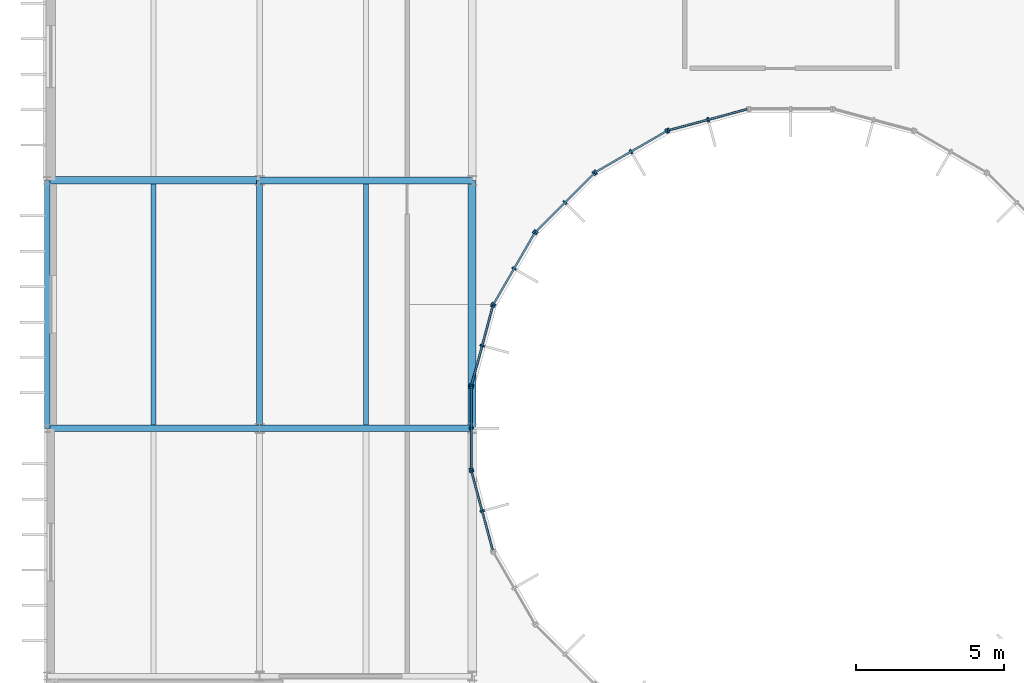
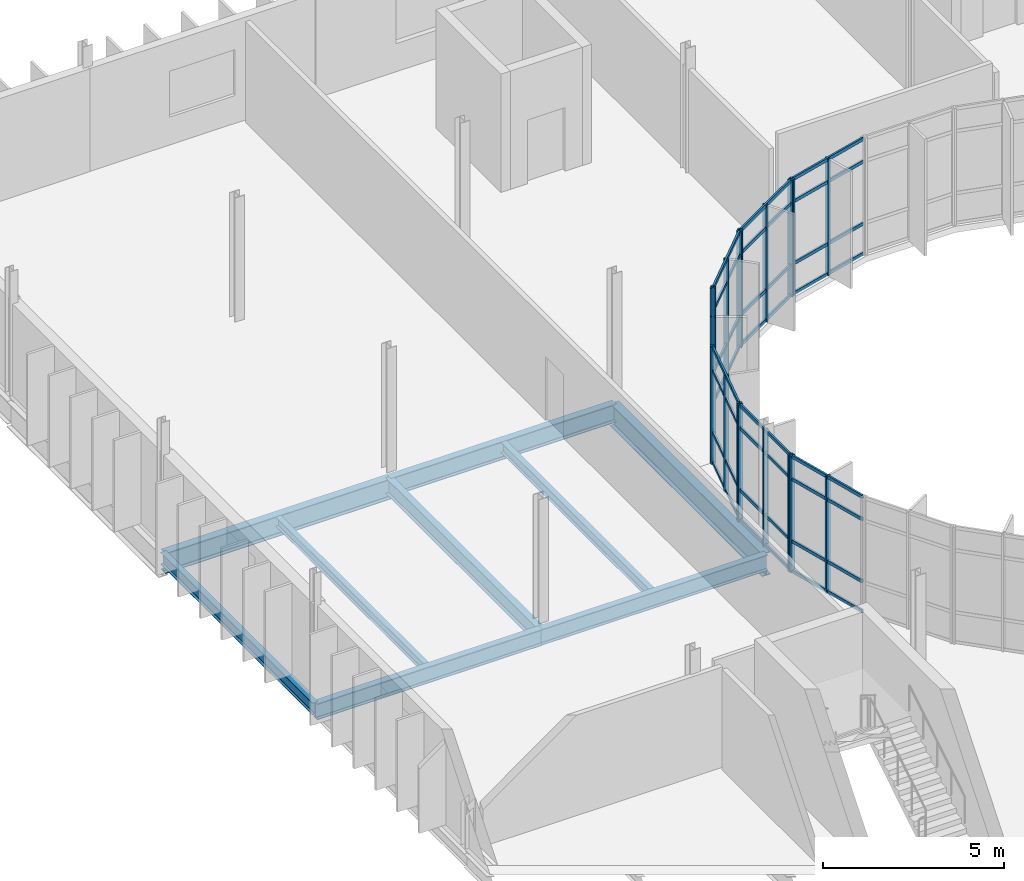
# One storey, part 21 of 61: 47 members, 9 beams, 7 elements without a shape of their own.
"""IFC4 building model written with IfcOpenShell, lengths in metres."""

import ifcopenshell
import ifcopenshell.guid

model = None  # the IFC model being written
_history = None  # IfcOwnerHistory: only IFC2X3 demands one
_inside = {}  # id of a spatial element -> (the spatial element, [elements in it])
_under = {}  # id of a project, library or spatial element -> (it, [spatial elements below it])
_declared = {}  # id of a project -> (the project, [libraries it declares])
_typed = {}  # id of a type object -> (the type object, [elements of that type])
_made_of = {}  # id of a material, layer set ... -> (it, [elements and type objects made of it])


def new_model(schema):
    """Start an empty IFC model of exactly this schema.

    Asked for "IFC4X3", IfcOpenShell would pick the latest addendum, in which some entities
    have other attributes; the version numbers below select the first issue.
    IFC2X3 requires an IfcOwnerHistory on every rooted entity: one is made here for all.
    """
    global model, _history
    if schema == "IFC4X3":
        model = ifcopenshell.file(schema_version=(4, 3, 0, 0))
    else:
        model = ifcopenshell.file(schema=schema)
    _inside.clear()
    _under.clear()
    _declared.clear()
    _typed.clear()
    _made_of.clear()
    _history = None
    if model.schema == "IFC2X3":
        org = make("IfcOrganization", Name="unknown")
        user = make(
            "IfcPersonAndOrganization",
            ThePerson=make("IfcPerson", FamilyName="unknown"),
            TheOrganization=org,
        )
        app = make(
            "IfcApplication",
            ApplicationDeveloper=org,
            Version="unknown",
            ApplicationFullName="unknown",
            ApplicationIdentifier="unknown",
        )
        _history = make(
            "IfcOwnerHistory",
            OwningUser=user,
            OwningApplication=app,
            ChangeAction="ADDED",
            CreationDate=0,
        )
    return model


def make(cls, **values):
    """One entity of the class cls with the attributes given. An attribute that is None is left unset."""
    return model.create_entity(
        cls, **{name: value for name, value in values.items() if value is not None}
    )


def rooted(cls, **values):
    """An entity with a GlobalId (a new one), such as an element, a storey or a relation."""
    return make(cls, GlobalId=ifcopenshell.guid.new(), OwnerHistory=_history, **values)


def si_unit(unit_type, name, prefix=None):
    """IfcSIUnit, for example si_unit("LENGTHUNIT", "METRE", prefix="MILLI")."""
    return make("IfcSIUnit", UnitType=unit_type, Prefix=prefix, Name=name)


def assignment(units):
    """IfcUnitAssignment: the units of a project."""
    return None if units is None else make("IfcUnitAssignment", Units=units)


def point(xyz):
    """IfcCartesianPoint."""
    return None if xyz is None else make("IfcCartesianPoint", Coordinates=xyz)


def direction(xyz):
    """IfcDirection."""
    return None if xyz is None else make("IfcDirection", DirectionRatios=xyz)


def frame(location, z_axis=None, x_axis=None):
    """IfcAxis2Placement3D, a coordinate frame: its origin and axes. An axis left out is left unset."""
    return make(
        "IfcAxis2Placement3D",
        Location=point(location),
        Axis=direction(z_axis),
        RefDirection=direction(x_axis),
    )


def frame_2d(location, x_axis=None):
    """IfcAxis2Placement2D, a coordinate frame in the plane: its origin and x axis."""
    return make(
        "IfcAxis2Placement2D", Location=point(location), RefDirection=direction(x_axis)
    )


def origin():
    """The frame at (0, 0, 0) with its axes left unset."""
    return frame((0.0, 0.0, 0.0))


def origin_2d():
    """The frame at (0, 0) in the plane with its x axis left unset."""
    return frame_2d((0.0, 0.0))


def place(relative_to, where):
    """IfcLocalPlacement: puts the frame where relative to a parent placement (None: the world)."""
    return make(
        "IfcLocalPlacement", PlacementRelTo=relative_to, RelativePlacement=where
    )


def context(
    kind, dimensions, precision=None, world=None, true_north=None, identifier=None
):
    """IfcGeometricRepresentationContext, for example the 3D "Model" context."""
    return make(
        "IfcGeometricRepresentationContext",
        ContextIdentifier=identifier,
        ContextType=kind,
        CoordinateSpaceDimension=dimensions,
        Precision=precision,
        WorldCoordinateSystem=world,
        TrueNorth=true_north,
    )


def subcontext(parent, identifier, kind, view, scale=None):
    """IfcGeometricRepresentationSubContext, for example "Body" below "Model"."""
    return make(
        "IfcGeometricRepresentationSubContext",
        ContextIdentifier=identifier,
        ContextType=kind,
        ParentContext=parent,
        TargetScale=scale,
        TargetView=view,
    )


def project(units=None, contexts=None):
    """IfcProject with its units and contexts."""
    return rooted(
        "IfcProject",
        Name="project",
        RepresentationContexts=contexts,
        UnitsInContext=assignment(units),
    )


def spatial(cls, under=None, at=None, **own):
    """A site, building, storey or space (cls), placed at a placement, below another one or the project."""
    s = rooted(cls, ObjectPlacement=at, **own)
    if under is not None:
        _under.setdefault(under.id(), (under, []))[1].append(s)
    return s


def profile(cls, at=None, kind="AREA", **sizes):
    """A parametric profile (cls). Its sizes go by their IFC names, for example OverallWidth=200.0."""
    return make(cls, ProfileType=kind, Position=at, **sizes)


def rectangle(**sizes):
    """IfcRectangleProfileDef."""
    return profile("IfcRectangleProfileDef", **sizes)


def i_section(**sizes):
    """IfcIShapeProfileDef."""
    return profile("IfcIShapeProfileDef", **sizes)


def extrude(swept, where, along, depth):
    """IfcExtrudedAreaSolid: the profile swept, set in the frame where, extruded along a direction by depth."""
    return make(
        "IfcExtrudedAreaSolid",
        SweptArea=swept,
        Position=where,
        ExtrudedDirection=direction(along),
        Depth=depth,
    )


def shape(context_of_items, identifier, shape_type, items):
    """IfcShapeRepresentation: the items that make up one representation, for example the "Body"."""
    return make(
        "IfcShapeRepresentation",
        ContextOfItems=context_of_items,
        RepresentationIdentifier=identifier,
        RepresentationType=shape_type,
        Items=items,
    )


def material(Name=None, Category=None):
    """IfcMaterial."""
    return make("IfcMaterial", Name=Name, Category=Category)


def material_profile(
    of_material, cross_section, Name=None, Category=None, Priority=None
):
    """IfcMaterialProfile: a cross section and its material."""
    return make(
        "IfcMaterialProfile",
        Name=Name,
        Material=of_material,
        Profile=cross_section,
        Priority=Priority,
        Category=Category,
    )


def profile_set(profiles, Name=None, composite=None):
    """IfcMaterialProfileSet."""
    return make(
        "IfcMaterialProfileSet",
        Name=Name,
        MaterialProfiles=profiles,
        CompositeProfile=composite,
    )


def made_of(thing, what):
    """Note that an element or type object is made of a material, layer set ...; save() writes the relation."""
    if what is not None:
        _made_of.setdefault(what.id(), (what, []))[1].append(thing)
    return thing


def type_object(cls, material=None, **own):
    """A type object (cls), such as IfcWallType, which elements share."""
    return made_of(rooted(cls, **own), material)


def element(
    cls,
    number,
    at=None,
    inside=None,
    cuts=None,
    type_object=None,
    material=None,
    context=None,
    identifier="Body",
    shape_type=None,
    held_by="IfcProductDefinitionShape",
    body=None,
    shapes=None,
    **own,
):
    """One element of the class cls, such as IfcWall. Its Tag is "e" and its number.

    at: its placement. inside: the storey or other place that contains it. cuts: it is an
    opening in that element (IfcRelVoidsElement). A single representation is given by context,
    identifier, shape_type and body (its items); several are given by shapes. held_by: the class
    of the entity that holds the representations. save() writes the other relations.
    """
    e = rooted(cls, Tag="e%d" % number, ObjectPlacement=at, **own)
    if body is not None:
        shapes = [shape(context, identifier, shape_type, body)]
    if shapes is not None:
        e.Representation = make(held_by, Representations=shapes)
    if inside is not None:
        _inside.setdefault(inside.id(), (inside, []))[1].append(e)
    if cuts is not None:
        rooted(
            "IfcRelVoidsElement", RelatingBuildingElement=cuts, RelatedOpeningElement=e
        )
    if type_object is not None:
        _typed.setdefault(type_object.id(), (type_object, []))[1].append(e)
    return made_of(e, material)


def aggregate(whole, parts):
    """IfcRelAggregates: a whole, such as a stair, and the parts it consists of."""
    return rooted("IfcRelAggregates", RelatingObject=whole, RelatedObjects=parts)


def save(model, path):
    """Write the relations noted so far, then the file.

    IfcRelAggregates (storeys below a building ...), IfcRelContainedInSpatialStructure (elements
    in a storey), IfcRelDefinesByType, IfcRelAssociatesMaterial and IfcRelDeclares: one each for
    every whole, place, type object, material and project.
    """
    for whole, parts in _under.values():
        aggregate(whole, parts)
    for where, things in _inside.values():
        rooted(
            "IfcRelContainedInSpatialStructure",
            RelatedElements=things,
            RelatingStructure=where,
        )
    for kind, things in _typed.values():
        rooted("IfcRelDefinesByType", RelatedObjects=things, RelatingType=kind)
    for what, things in _made_of.values():
        rooted("IfcRelAssociatesMaterial", RelatedObjects=things, RelatingMaterial=what)
    for by, libraries in _declared.values():
        rooted("IfcRelDeclares", RelatingContext=by, RelatedDefinitions=libraries)
    model.write(path)


model = new_model("IFC4")

# Units and contexts
model_context = context("Model", 3, precision=1e-05, world=origin(), true_north=direction((0.0, 1.0)))
body_context = subcontext(model_context, "Body", "Model", "MODEL_VIEW")
ifc_project = project(units=[si_unit("LENGTHUNIT", "METRE"), si_unit("AREAUNIT", "SQUARE_METRE"), si_unit("VOLUMEUNIT", "CUBIC_METRE"), si_unit("PLANEANGLEUNIT", "RADIAN"), si_unit("MASSUNIT", "GRAM", prefix="KILO")], contexts=[model_context])

# Site, building, storey
site_placement = place(None, origin())
site = spatial("IfcSite", under=ifc_project, at=site_placement, CompositionType="ELEMENT")
building_placement = place(site_placement, origin())
building = spatial("IfcBuilding", under=site, at=building_placement, Name="Qelthora Terrace Specialist Clinic", CompositionType="ELEMENT")
storey_placement = place(building_placement, frame((0.0, 0.0, 13.199951171875)))
storey = spatial("IfcBuildingStorey", under=building, at=storey_placement, Name="L03", CompositionType="ELEMENT", Elevation=13.199951171875)

# Beams
ifc_material_1 = material(Name="Steel S355", Category="steel")
ifc_material_profile_1 = material_profile(ifc_material_1, i_section(OverallWidth=0.178955078125, OverallDepth=0.409912109375, WebThickness=0.0087890625, FlangeThickness=0.014404296875, FilletRadius=0.011962890625, at=origin_2d()), Name="W410X67")
ifc_profile_set_1 = profile_set([ifc_material_profile_1], Name="Steel S355")
beam_type_1 = type_object("IfcBeamType", Name="BM-W410X67", PredefinedType="BEAM", material=ifc_profile_set_1)
beam_1_placement = place(storey_placement, frame((0.0, 84.0, -0.454833984375), z_axis=(0.0, 1.0, 0.0), x_axis=(-1.0, 0.0, 0.0)))
element("IfcBeam", 1, at=beam_1_placement, inside=storey, type_object=beam_type_1, Name="Girder BMY-L03-1030", PredefinedType="BEAM", context=body_context, shape_type="SweptSolid", body=[
    extrude(i_section(OverallWidth=0.178955078125, OverallDepth=0.409912109375, WebThickness=0.0087890625, FlangeThickness=0.014404296875, FilletRadius=0.011962890625, at=origin_2d()), origin(), (0.0, 0.0, 1.0), 8.39990234375),
])
ifc_material_profile_2 = material_profile(ifc_material_1, i_section(OverallWidth=0.2099609375, OverallDepth=0.537109375, WebThickness=0.010986328125, FlangeThickness=0.017333984375, FilletRadius=0.013916015625, at=origin_2d()), Name="W530X101")
ifc_profile_set_2 = profile_set([ifc_material_profile_2], Name="Steel S355")
beam_type_2 = type_object("IfcBeamType", Name="BM-W530X101", PredefinedType="BEAM", material=ifc_profile_set_2)
beam_2_placement = place(storey_placement, frame((7.199951171875, 84.0, -0.5185546875), z_axis=(1.0, 0.0, 0.0), x_axis=(0.0, 1.0, 0.0)))
element("IfcBeam", 2, at=beam_2_placement, inside=storey, type_object=beam_type_2, Name="Girder BMX-L03-0972", PredefinedType="BEAM", context=body_context, shape_type="SweptSolid", body=[
    extrude(i_section(OverallWidth=0.2099609375, OverallDepth=0.537109375, WebThickness=0.010986328125, FlangeThickness=0.017333984375, FilletRadius=0.013916015625, at=origin_2d()), origin(), (0.0, 0.0, 1.0), 7.199951171875),
])
beam_3_placement = place(storey_placement, frame((7.199951171875, 84.0, -0.5185546875), z_axis=(0.0, 1.0, 0.0), x_axis=(-1.0, 0.0, 0.0)))
element("IfcBeam", 3, at=beam_3_placement, inside=storey, type_object=beam_type_2, Name="Girder BMY-L03-1036", PredefinedType="BEAM", context=body_context, shape_type="SweptSolid", body=[
    extrude(i_section(OverallWidth=0.2099609375, OverallDepth=0.537109375, WebThickness=0.010986328125, FlangeThickness=0.017333984375, FilletRadius=0.013916015625, at=origin_2d()), origin(), (0.0, 0.0, 1.0), 8.39990234375),
])
ifc_material_profile_3 = material_profile(ifc_material_1, i_section(OverallWidth=0.2119140625, OverallDepth=0.5439453125, WebThickness=0.01318359375, FlangeThickness=0.021240234375, FilletRadius=0.013916015625, at=origin_2d()), Name="W530X123")
ifc_profile_set_3 = profile_set([ifc_material_profile_3], Name="Steel S355")
beam_type_3 = type_object("IfcBeamType", Name="BM-W530X123", PredefinedType="BEAM", material=ifc_profile_set_3)
beam_4_placement = place(storey_placement, frame((0.0, 84.0, -0.52197265625), z_axis=(1.0, 0.0, 0.0), x_axis=(0.0, 1.0, 0.0)))
element("IfcBeam", 4, at=beam_4_placement, inside=storey, type_object=beam_type_3, Name="Girder BMX-L03-0971", PredefinedType="BEAM", context=body_context, shape_type="SweptSolid", body=[
    extrude(i_section(OverallWidth=0.2119140625, OverallDepth=0.5439453125, WebThickness=0.01318359375, FlangeThickness=0.021240234375, FilletRadius=0.013916015625, at=origin_2d()), origin(), (0.0, 0.0, 1.0), 7.199951171875),
])
ifc_material_profile_4 = material_profile(ifc_material_1, i_section(OverallWidth=0.22998046875, OverallDepth=0.616943359375, WebThickness=0.01318359375, FlangeThickness=0.022216796875, FilletRadius=0.01611328125, at=origin_2d()), Name="W610X140")
ifc_profile_set_4 = profile_set([ifc_material_profile_4], Name="Steel S355")
beam_type_4 = type_object("IfcBeamType", Name="BM-W610X140", PredefinedType="BEAM", material=ifc_profile_set_4)
beam_5_placement = place(storey_placement, frame((7.199951171875, 92.39990234375, -0.558349609375), z_axis=(1.0, 0.0, 0.0), x_axis=(0.0, 1.0, 0.0)))
element("IfcBeam", 5, at=beam_5_placement, inside=storey, type_object=beam_type_4, Name="Girder BMX-L03-0983", PredefinedType="BEAM", context=body_context, shape_type="SweptSolid", body=[
    extrude(i_section(OverallWidth=0.22998046875, OverallDepth=0.616943359375, WebThickness=0.01318359375, FlangeThickness=0.022216796875, FilletRadius=0.01611328125, at=origin_2d()), origin(), (0.0, 0.0, 1.0), 7.199951171875),
])
ifc_material_profile_5 = material_profile(ifc_material_1, i_section(OverallWidth=0.25390625, OverallDepth=0.68798828125, WebThickness=0.01318359375, FlangeThickness=0.02099609375, FilletRadius=0.01806640625, at=origin_2d()), Name="W690X152")
ifc_profile_set_5 = profile_set([ifc_material_profile_5], Name="Steel S355")
beam_type_5 = type_object("IfcBeamType", Name="BM-W690X152", PredefinedType="BEAM", material=ifc_profile_set_5)
beam_6_placement = place(storey_placement, frame((0.0, 92.39990234375, -0.593994140625), z_axis=(1.0, 0.0, 0.0), x_axis=(0.0, 1.0, 0.0)))
element("IfcBeam", 6, at=beam_6_placement, inside=storey, type_object=beam_type_5, Name="Girder BMX-L03-0982", PredefinedType="BEAM", context=body_context, shape_type="SweptSolid", body=[
    extrude(i_section(OverallWidth=0.25390625, OverallDepth=0.68798828125, WebThickness=0.01318359375, FlangeThickness=0.02099609375, FilletRadius=0.01806640625, at=origin_2d()), origin(), (0.0, 0.0, 1.0), 7.199951171875),
])
ifc_material_profile_6 = material_profile(ifc_material_1, i_section(OverallWidth=0.26806640625, OverallDepth=0.77001953125, WebThickness=0.015625, FlangeThickness=0.025390625, FilletRadius=0.01904296875, at=origin_2d()), Name="W760X196")
ifc_profile_set_6 = profile_set([ifc_material_profile_6], Name="Steel S355")
beam_type_6 = type_object("IfcBeamType", Name="BM-W760X196", PredefinedType="BEAM", material=ifc_profile_set_6)
beam_7_placement = place(storey_placement, frame((14.39990234375, 84.0, -0.635009765625), z_axis=(0.0, 1.0, 0.0), x_axis=(-1.0, 0.0, 0.0)))
element("IfcBeam", 7, at=beam_7_placement, inside=storey, type_object=beam_type_6, Name="Girder BMY-L03-1042", PredefinedType="BEAM", context=body_context, shape_type="SweptSolid", body=[
    extrude(i_section(OverallWidth=0.26806640625, OverallDepth=0.77001953125, WebThickness=0.015625, FlangeThickness=0.025390625, FilletRadius=0.01904296875, at=origin_2d()), origin(), (0.0, 0.0, 1.0), 8.39990234375),
])

# Curtain wall, members
ifc_material_2 = material(Name="Aluminium anodized bronze", Category="aluminium")
curtain_wall_type = type_object("IfcCurtainWallType", Name="CW-CRTW-UPP", PredefinedType="NOTDEFINED", material=ifc_material_2)
curtain_wall_1_placement = place(storey_placement, origin())
curtain_wall_1 = element("IfcCurtainWall", 8, at=curtain_wall_1_placement, inside=storey, type_object=curtain_wall_type, Name="Curtain wall CW-CW-L03-07", PredefinedType="NOTDEFINED")
ifc_material_profile_7 = material_profile(ifc_material_2, rectangle(XDim=0.06005859375, YDim=0.14990234375, at=origin_2d()), Name="CWM60X150")
ifc_profile_set_7 = profile_set([ifc_material_profile_7], Name="Aluminium anodized bronze")
member_type_1 = type_object("IfcMemberType", Name="CWM-60X150", PredefinedType="MULLION", material=ifc_profile_set_7)
member_1_placement = place(storey_placement, frame((22.397705078125, 94.458740234375, 0.0), z_axis=(0.0, 0.0, 1.0), x_axis=(-0.96592547477, -0.258820356987, 0.0)))
member_1 = element("IfcMember", 9, at=member_1_placement, type_object=member_type_1, Name="CW-CW-L03-07 mullion 2", PredefinedType="MULLION", context=body_context, shape_type="SweptSolid", body=[
    extrude(rectangle(XDim=0.06005859375, YDim=0.14990234375, at=origin_2d()), origin(), (0.0, 0.0, 1.0), 3.945068359375),
])
member_2_placement = place(storey_placement, frame((21.05517578125, 94.098876953125, 0.0), z_axis=(0.0, 0.0, 1.0), x_axis=(-0.96592547477, -0.258820356987, 0.0)))
member_2 = element("IfcMember", 10, at=member_2_placement, type_object=member_type_1, Name="CW-CW-L03-07 mullion 3", PredefinedType="MULLION", context=body_context, shape_type="SweptSolid", body=[
    extrude(rectangle(XDim=0.06005859375, YDim=0.14990234375, at=origin_2d()), origin(), (0.0, 0.0, 1.0), 3.945068359375),
])

curtain_wall_2_placement = place(storey_placement, origin())
curtain_wall_2 = element("IfcCurtainWall", 11, at=curtain_wall_2_placement, inside=storey, type_object=curtain_wall_type, Name="Curtain wall CW-CW-L03-08", PredefinedType="NOTDEFINED")
member_3_placement = place(storey_placement, frame((20.98974609375, 94.07177734375, 0.0), z_axis=(0.0, 0.0, 1.0), x_axis=(-0.866025635896, -0.499999597971, 0.0)))
member_3 = element("IfcMember", 12, at=member_3_placement, type_object=member_type_1, Name="CW-CW-L03-08 mullion 1", PredefinedType="MULLION", context=body_context, shape_type="SweptSolid", body=[
    extrude(rectangle(XDim=0.06005859375, YDim=0.14990234375, at=origin_2d()), origin(), (0.0, 0.0, 1.0), 3.945068359375),
])
member_4_placement = place(storey_placement, frame((19.7861328125, 93.376953125, 0.0), z_axis=(0.0, 0.0, 1.0), x_axis=(-0.866025635896, -0.499999597971, 0.0)))
member_4 = element("IfcMember", 13, at=member_4_placement, type_object=member_type_1, Name="CW-CW-L03-08 mullion 2", PredefinedType="MULLION", context=body_context, shape_type="SweptSolid", body=[
    extrude(rectangle(XDim=0.06005859375, YDim=0.14990234375, at=origin_2d()), origin(), (0.0, 0.0, 1.0), 3.945068359375),
])
member_5_placement = place(storey_placement, frame((18.582763671875, 92.68212890625, 0.0), z_axis=(0.0, 0.0, 1.0), x_axis=(-0.866025635896, -0.499999597971, 0.0)))
member_5 = element("IfcMember", 14, at=member_5_placement, type_object=member_type_1, Name="CW-CW-L03-08 mullion 3", PredefinedType="MULLION", context=body_context, shape_type="SweptSolid", body=[
    extrude(rectangle(XDim=0.06005859375, YDim=0.14990234375, at=origin_2d()), origin(), (0.0, 0.0, 1.0), 3.945068359375),
])

curtain_wall_3_placement = place(storey_placement, origin())
curtain_wall_3 = element("IfcCurtainWall", 15, at=curtain_wall_3_placement, inside=storey, type_object=curtain_wall_type, Name="Curtain wall CW-CW-L03-09", PredefinedType="NOTDEFINED")
member_6_placement = place(storey_placement, frame((18.5263671875, 92.638916015625, 0.0), z_axis=(0.0, 0.0, 1.0), x_axis=(-0.707106781187, -0.707106781187, 0.0)))
member_6 = element("IfcMember", 16, at=member_6_placement, type_object=member_type_1, Name="CW-CW-L03-09 mullion 1", PredefinedType="MULLION", context=body_context, shape_type="SweptSolid", body=[
    extrude(rectangle(XDim=0.06005859375, YDim=0.14990234375, at=origin_2d()), origin(), (0.0, 0.0, 1.0), 3.945068359375),
])
member_7_placement = place(storey_placement, frame((17.543701171875, 91.65625, 0.0), z_axis=(0.0, 0.0, 1.0), x_axis=(-0.707106781187, -0.707106781187, 0.0)))
member_7 = element("IfcMember", 17, at=member_7_placement, type_object=member_type_1, Name="CW-CW-L03-09 mullion 2", PredefinedType="MULLION", context=body_context, shape_type="SweptSolid", body=[
    extrude(rectangle(XDim=0.06005859375, YDim=0.14990234375, at=origin_2d()), origin(), (0.0, 0.0, 1.0), 3.945068359375),
])
member_8_placement = place(storey_placement, frame((16.56103515625, 90.673583984375, 0.0), z_axis=(0.0, 0.0, 1.0), x_axis=(-0.707106781187, -0.707106781187, 0.0)))
member_8 = element("IfcMember", 18, at=member_8_placement, type_object=member_type_1, Name="CW-CW-L03-09 mullion 3", PredefinedType="MULLION", context=body_context, shape_type="SweptSolid", body=[
    extrude(rectangle(XDim=0.06005859375, YDim=0.14990234375, at=origin_2d()), origin(), (0.0, 0.0, 1.0), 3.945068359375),
])

curtain_wall_4_placement = place(storey_placement, origin())
curtain_wall_4 = element("IfcCurtainWall", 19, at=curtain_wall_4_placement, inside=storey, type_object=curtain_wall_type, Name="Curtain wall CW-CW-L03-10", PredefinedType="NOTDEFINED")
member_9_placement = place(storey_placement, frame((16.517822265625, 90.6171875, 0.0), z_axis=(0.0, 0.0, 1.0), x_axis=(-0.499999597971, -0.866025635896, 0.0)))
member_9 = element("IfcMember", 20, at=member_9_placement, type_object=member_type_1, Name="CW-CW-L03-10 mullion 1", PredefinedType="MULLION", context=body_context, shape_type="SweptSolid", body=[
    extrude(rectangle(XDim=0.06005859375, YDim=0.14990234375, at=origin_2d()), origin(), (0.0, 0.0, 1.0), 3.945068359375),
])
member_10_placement = place(storey_placement, frame((15.822998046875, 89.413818359375, 0.0), z_axis=(0.0, 0.0, 1.0), x_axis=(-0.499999597971, -0.866025635896, 0.0)))
member_10 = element("IfcMember", 21, at=member_10_placement, type_object=member_type_1, Name="CW-CW-L03-10 mullion 2", PredefinedType="MULLION", context=body_context, shape_type="SweptSolid", body=[
    extrude(rectangle(XDim=0.06005859375, YDim=0.14990234375, at=origin_2d()), origin(), (0.0, 0.0, 1.0), 3.945068359375),
])
member_11_placement = place(storey_placement, frame((15.128173828125, 88.210205078125, 0.0), z_axis=(0.0, 0.0, 1.0), x_axis=(-0.499999597971, -0.866025635896, 0.0)))
member_11 = element("IfcMember", 22, at=member_11_placement, type_object=member_type_1, Name="CW-CW-L03-10 mullion 3", PredefinedType="MULLION", context=body_context, shape_type="SweptSolid", body=[
    extrude(rectangle(XDim=0.06005859375, YDim=0.14990234375, at=origin_2d()), origin(), (0.0, 0.0, 1.0), 3.945068359375),
])

curtain_wall_5_placement = place(storey_placement, origin())
curtain_wall_5 = element("IfcCurtainWall", 23, at=curtain_wall_5_placement, inside=storey, type_object=curtain_wall_type, Name="Curtain wall CW-CW-L03-11", PredefinedType="NOTDEFINED")
member_12_placement = place(storey_placement, frame((15.10107421875, 88.144775390625, 0.0), z_axis=(0.0, 0.0, 1.0), x_axis=(-0.258820356987, -0.96592547477, 0.0)))
member_12 = element("IfcMember", 24, at=member_12_placement, type_object=member_type_1, Name="CW-CW-L03-11 mullion 1", PredefinedType="MULLION", context=body_context, shape_type="SweptSolid", body=[
    extrude(rectangle(XDim=0.06005859375, YDim=0.14990234375, at=origin_2d()), origin(), (0.0, 0.0, 1.0), 3.945068359375),
])
member_13_placement = place(storey_placement, frame((14.7412109375, 86.802490234375, 0.0), z_axis=(0.0, 0.0, 1.0), x_axis=(-0.258820356987, -0.96592547477, 0.0)))
member_13 = element("IfcMember", 25, at=member_13_placement, type_object=member_type_1, Name="CW-CW-L03-11 mullion 2", PredefinedType="MULLION", context=body_context, shape_type="SweptSolid", body=[
    extrude(rectangle(XDim=0.06005859375, YDim=0.14990234375, at=origin_2d()), origin(), (0.0, 0.0, 1.0), 3.945068359375),
])
member_14_placement = place(storey_placement, frame((14.381591796875, 85.4599609375, 0.0), z_axis=(0.0, 0.0, 1.0), x_axis=(-0.258820356987, -0.96592547477, 0.0)))
member_14 = element("IfcMember", 26, at=member_14_placement, type_object=member_type_1, Name="CW-CW-L03-11 mullion 3", PredefinedType="MULLION", context=body_context, shape_type="SweptSolid", body=[
    extrude(rectangle(XDim=0.06005859375, YDim=0.14990234375, at=origin_2d()), origin(), (0.0, 0.0, 1.0), 3.945068359375),
])

curtain_wall_6_placement = place(storey_placement, origin())
curtain_wall_6 = element("IfcCurtainWall", 27, at=curtain_wall_6_placement, inside=storey, type_object=curtain_wall_type, Name="Curtain wall CW-CW-L03-12", PredefinedType="NOTDEFINED")
member_15_placement = place(storey_placement, frame((14.372314453125, 85.3896484375, 0.0), z_axis=(0.0, 0.0, 1.0), x_axis=(0.0, -1.0, 0.0)))
member_15 = element("IfcMember", 28, at=member_15_placement, type_object=member_type_1, Name="CW-CW-L03-12 mullion 1", PredefinedType="MULLION", context=body_context, shape_type="SweptSolid", body=[
    extrude(rectangle(XDim=0.06005859375, YDim=0.14990234375, at=origin_2d()), origin(), (0.0, 0.0, 1.0), 3.945068359375),
])
member_16_placement = place(storey_placement, frame((14.372314453125, 84.0, 0.0), z_axis=(0.0, 0.0, 1.0), x_axis=(0.0, -1.0, 0.0)))
member_16 = element("IfcMember", 29, at=member_16_placement, type_object=member_type_1, Name="CW-CW-L03-12 mullion 2", PredefinedType="MULLION", context=body_context, shape_type="SweptSolid", body=[
    extrude(rectangle(XDim=0.06005859375, YDim=0.14990234375, at=origin_2d()), origin(), (0.0, 0.0, 1.0), 3.945068359375),
])
member_17_placement = place(storey_placement, frame((14.372314453125, 82.6103515625, 0.0), z_axis=(0.0, 0.0, 1.0), x_axis=(0.0, -1.0, 0.0)))
member_17 = element("IfcMember", 30, at=member_17_placement, type_object=member_type_1, Name="CW-CW-L03-12 mullion 3", PredefinedType="MULLION", context=body_context, shape_type="SweptSolid", body=[
    extrude(rectangle(XDim=0.06005859375, YDim=0.14990234375, at=origin_2d()), origin(), (0.0, 0.0, 1.0), 3.945068359375),
])

curtain_wall_7_placement = place(storey_placement, origin())
curtain_wall_7 = element("IfcCurtainWall", 31, at=curtain_wall_7_placement, inside=storey, type_object=curtain_wall_type, Name="Curtain wall CW-CW-L03-13", PredefinedType="NOTDEFINED")
member_18_placement = place(storey_placement, frame((14.381591796875, 82.5400390625, 0.0), z_axis=(0.0, 0.0, 1.0), x_axis=(0.258820356987, -0.96592547477, 0.0)))
member_18 = element("IfcMember", 32, at=member_18_placement, type_object=member_type_1, Name="CW-CW-L03-13 mullion 1", PredefinedType="MULLION", context=body_context, shape_type="SweptSolid", body=[
    extrude(rectangle(XDim=0.06005859375, YDim=0.14990234375, at=origin_2d()), origin(), (0.0, 0.0, 1.0), 3.945068359375),
])
member_19_placement = place(storey_placement, frame((14.7412109375, 81.197509765625, 0.0), z_axis=(0.0, 0.0, 1.0), x_axis=(0.258820356987, -0.96592547477, 0.0)))
member_19 = element("IfcMember", 33, at=member_19_placement, type_object=member_type_1, Name="CW-CW-L03-13 mullion 2", PredefinedType="MULLION", context=body_context, shape_type="SweptSolid", body=[
    extrude(rectangle(XDim=0.06005859375, YDim=0.14990234375, at=origin_2d()), origin(), (0.0, 0.0, 1.0), 3.945068359375),
])

# Member
ifc_material_profile_8 = material_profile(ifc_material_2, rectangle(XDim=0.06005859375, YDim=0.110107421875, at=origin_2d()), Name="CWT60X110")
ifc_profile_set_8 = profile_set([ifc_material_profile_8], Name="Aluminium anodized bronze")
member_type_2 = type_object("IfcMemberType", Name="CWT-60X110", PredefinedType="USERDEFINED", material=ifc_profile_set_8)
member_20_placement = place(storey_placement, frame((23.720703125, 94.813232421875, 0.0400390625), z_axis=(-0.965926569303, -0.258816272122, 0.0), x_axis=(0.258816272122, -0.965926569303, 0.0)))
member_20 = element("IfcMember", 34, at=member_20_placement, type_object=member_type_2, Name="CW-CW-L03-07 transom 1", ObjectType="TRANSOM", PredefinedType="USERDEFINED", context=body_context, shape_type="SweptSolid", body=[
    extrude(rectangle(XDim=0.06005859375, YDim=0.110107421875, at=origin_2d()), origin(), (0.0, 0.0, 1.0), 2.7392578125),
])

member_21_placement = place(storey_placement, frame((23.720703125, 94.813232421875, 1.050048828125), z_axis=(-0.965926569303, -0.258816272122, 0.0), x_axis=(0.258816272122, -0.965926569303, 0.0)))
member_21 = element("IfcMember", 35, at=member_21_placement, type_object=member_type_2, Name="CW-CW-L03-07 transom 2", ObjectType="TRANSOM", PredefinedType="USERDEFINED", context=body_context, shape_type="SweptSolid", body=[
    extrude(rectangle(XDim=0.06005859375, YDim=0.110107421875, at=origin_2d()), origin(), (0.0, 0.0, 1.0), 2.7392578125),
])

member_22_placement = place(storey_placement, frame((23.720703125, 94.813232421875, 3.14501953125), z_axis=(-0.965926569303, -0.258816272122, 0.0), x_axis=(0.258816272122, -0.965926569303, 0.0)))
member_22 = element("IfcMember", 36, at=member_22_placement, type_object=member_type_2, Name="CW-CW-L03-07 transom 3", ObjectType="TRANSOM", PredefinedType="USERDEFINED", context=body_context, shape_type="SweptSolid", body=[
    extrude(rectangle(XDim=0.06005859375, YDim=0.110107421875, at=origin_2d()), origin(), (0.0, 0.0, 1.0), 2.7392578125),
])

member_23_placement = place(storey_placement, frame((23.720703125, 94.813232421875, 3.905029296875), z_axis=(-0.965926569303, -0.258816272122, 0.0), x_axis=(0.258816272122, -0.965926569303, 0.0)))
member_23 = element("IfcMember", 37, at=member_23_placement, type_object=member_type_2, Name="CW-CW-L03-07 transom 4", ObjectType="TRANSOM", PredefinedType="USERDEFINED", context=body_context, shape_type="SweptSolid", body=[
    extrude(rectangle(XDim=0.06005859375, YDim=0.110107421875, at=origin_2d()), origin(), (0.0, 0.0, 1.0), 2.7392578125),
])

aggregate(curtain_wall_1, [member_1, member_2, member_20, member_21, member_22, member_23])

member_24_placement = place(storey_placement, frame((20.972412109375, 94.061767578125, 0.0400390625), z_axis=(-0.866029747927, -0.499992475648, 0.0), x_axis=(0.499992475648, -0.866029747927, 0.0)))
member_24 = element("IfcMember", 38, at=member_24_placement, type_object=member_type_2, Name="CW-CW-L03-08 transom 1", ObjectType="TRANSOM", PredefinedType="USERDEFINED", context=body_context, shape_type="SweptSolid", body=[
    extrude(rectangle(XDim=0.06005859375, YDim=0.110107421875, at=origin_2d()), origin(), (0.0, 0.0, 1.0), 2.7392578125),
])

member_25_placement = place(storey_placement, frame((20.972412109375, 94.061767578125, 1.050048828125), z_axis=(-0.866029747927, -0.499992475648, 0.0), x_axis=(0.499992475648, -0.866029747927, 0.0)))
member_25 = element("IfcMember", 39, at=member_25_placement, type_object=member_type_2, Name="CW-CW-L03-08 transom 2", ObjectType="TRANSOM", PredefinedType="USERDEFINED", context=body_context, shape_type="SweptSolid", body=[
    extrude(rectangle(XDim=0.06005859375, YDim=0.110107421875, at=origin_2d()), origin(), (0.0, 0.0, 1.0), 2.7392578125),
])

member_26_placement = place(storey_placement, frame((20.972412109375, 94.061767578125, 3.14501953125), z_axis=(-0.866029747927, -0.499992475648, 0.0), x_axis=(0.499992475648, -0.866029747927, 0.0)))
member_26 = element("IfcMember", 40, at=member_26_placement, type_object=member_type_2, Name="CW-CW-L03-08 transom 3", ObjectType="TRANSOM", PredefinedType="USERDEFINED", context=body_context, shape_type="SweptSolid", body=[
    extrude(rectangle(XDim=0.06005859375, YDim=0.110107421875, at=origin_2d()), origin(), (0.0, 0.0, 1.0), 2.7392578125),
])

member_27_placement = place(storey_placement, frame((20.972412109375, 94.061767578125, 3.905029296875), z_axis=(-0.866029747927, -0.499992475648, 0.0), x_axis=(0.499992475648, -0.866029747927, 0.0)))
member_27 = element("IfcMember", 41, at=member_27_placement, type_object=member_type_2, Name="CW-CW-L03-08 transom 4", ObjectType="TRANSOM", PredefinedType="USERDEFINED", context=body_context, shape_type="SweptSolid", body=[
    extrude(rectangle(XDim=0.06005859375, YDim=0.110107421875, at=origin_2d()), origin(), (0.0, 0.0, 1.0), 2.7392578125),
])

aggregate(curtain_wall_2, [member_3, member_4, member_5, member_24, member_25, member_26, member_27])

member_28_placement = place(storey_placement, frame((18.51220703125, 92.624755859375, 0.0400390625), z_axis=(-0.707106781187, -0.707106781187, 0.0), x_axis=(0.707106781187, -0.707106781187, 0.0)))
member_28 = element("IfcMember", 42, at=member_28_placement, type_object=member_type_2, Name="CW-CW-L03-09 transom 1", ObjectType="TRANSOM", PredefinedType="USERDEFINED", context=body_context, shape_type="SweptSolid", body=[
    extrude(rectangle(XDim=0.06005859375, YDim=0.110107421875, at=origin_2d()), origin(), (0.0, 0.0, 1.0), 2.7392578125),
])

member_29_placement = place(storey_placement, frame((18.51220703125, 92.624755859375, 1.050048828125), z_axis=(-0.707106781187, -0.707106781187, 0.0), x_axis=(0.707106781187, -0.707106781187, 0.0)))
member_29 = element("IfcMember", 43, at=member_29_placement, type_object=member_type_2, Name="CW-CW-L03-09 transom 2", ObjectType="TRANSOM", PredefinedType="USERDEFINED", context=body_context, shape_type="SweptSolid", body=[
    extrude(rectangle(XDim=0.06005859375, YDim=0.110107421875, at=origin_2d()), origin(), (0.0, 0.0, 1.0), 2.7392578125),
])

member_30_placement = place(storey_placement, frame((18.51220703125, 92.624755859375, 3.14501953125), z_axis=(-0.707106781187, -0.707106781187, 0.0), x_axis=(0.707106781187, -0.707106781187, 0.0)))
member_30 = element("IfcMember", 44, at=member_30_placement, type_object=member_type_2, Name="CW-CW-L03-09 transom 3", ObjectType="TRANSOM", PredefinedType="USERDEFINED", context=body_context, shape_type="SweptSolid", body=[
    extrude(rectangle(XDim=0.06005859375, YDim=0.110107421875, at=origin_2d()), origin(), (0.0, 0.0, 1.0), 2.7392578125),
])

member_31_placement = place(storey_placement, frame((18.51220703125, 92.624755859375, 3.905029296875), z_axis=(-0.707106781187, -0.707106781187, 0.0), x_axis=(0.707106781187, -0.707106781187, 0.0)))
member_31 = element("IfcMember", 45, at=member_31_placement, type_object=member_type_2, Name="CW-CW-L03-09 transom 4", ObjectType="TRANSOM", PredefinedType="USERDEFINED", context=body_context, shape_type="SweptSolid", body=[
    extrude(rectangle(XDim=0.06005859375, YDim=0.110107421875, at=origin_2d()), origin(), (0.0, 0.0, 1.0), 2.7392578125),
])

aggregate(curtain_wall_3, [member_6, member_7, member_8, member_28, member_29, member_30, member_31])

member_32_placement = place(storey_placement, frame((16.5078125, 90.60009765625, 0.0400390625), z_axis=(-0.499953886166, -0.866052025982, 0.0), x_axis=(0.866052025982, -0.499953886166, 0.0)))
member_32 = element("IfcMember", 46, at=member_32_placement, type_object=member_type_2, Name="CW-CW-L03-10 transom 1", ObjectType="TRANSOM", PredefinedType="USERDEFINED", context=body_context, shape_type="SweptSolid", body=[
    extrude(rectangle(XDim=0.06005859375, YDim=0.110107421875, at=origin_2d()), origin(), (0.0, 0.0, 1.0), 2.739501953125),
])

member_33_placement = place(storey_placement, frame((16.5078125, 90.60009765625, 1.050048828125), z_axis=(-0.499953886166, -0.866052025982, 0.0), x_axis=(0.866052025982, -0.499953886166, 0.0)))
member_33 = element("IfcMember", 47, at=member_33_placement, type_object=member_type_2, Name="CW-CW-L03-10 transom 2", ObjectType="TRANSOM", PredefinedType="USERDEFINED", context=body_context, shape_type="SweptSolid", body=[
    extrude(rectangle(XDim=0.06005859375, YDim=0.110107421875, at=origin_2d()), origin(), (0.0, 0.0, 1.0), 2.739501953125),
])

member_34_placement = place(storey_placement, frame((16.5078125, 90.60009765625, 3.14501953125), z_axis=(-0.499953886166, -0.866052025982, 0.0), x_axis=(0.866052025982, -0.499953886166, 0.0)))
member_34 = element("IfcMember", 48, at=member_34_placement, type_object=member_type_2, Name="CW-CW-L03-10 transom 3", ObjectType="TRANSOM", PredefinedType="USERDEFINED", context=body_context, shape_type="SweptSolid", body=[
    extrude(rectangle(XDim=0.06005859375, YDim=0.110107421875, at=origin_2d()), origin(), (0.0, 0.0, 1.0), 2.739501953125),
])

member_35_placement = place(storey_placement, frame((16.5078125, 90.60009765625, 3.905029296875), z_axis=(-0.499953886166, -0.866052025982, 0.0), x_axis=(0.866052025982, -0.499953886166, 0.0)))
member_35 = element("IfcMember", 49, at=member_35_placement, type_object=member_type_2, Name="CW-CW-L03-10 transom 4", ObjectType="TRANSOM", PredefinedType="USERDEFINED", context=body_context, shape_type="SweptSolid", body=[
    extrude(rectangle(XDim=0.06005859375, YDim=0.110107421875, at=origin_2d()), origin(), (0.0, 0.0, 1.0), 2.739501953125),
])

aggregate(curtain_wall_4, [member_9, member_10, member_11, member_32, member_33, member_34, member_35])

member_36_placement = place(storey_placement, frame((15.095947265625, 88.12548828125, 0.0400390625), z_axis=(-0.258899423253, -0.965904285444, 0.0), x_axis=(0.965904285444, -0.258899423253, 0.0)))
member_36 = element("IfcMember", 50, at=member_36_placement, type_object=member_type_2, Name="CW-CW-L03-11 transom 1", ObjectType="TRANSOM", PredefinedType="USERDEFINED", context=body_context, shape_type="SweptSolid", body=[
    extrude(rectangle(XDim=0.06005859375, YDim=0.110107421875, at=origin_2d()), origin(), (0.0, 0.0, 1.0), 2.739501953125),
])

member_37_placement = place(storey_placement, frame((15.095947265625, 88.12548828125, 1.050048828125), z_axis=(-0.258899423253, -0.965904285444, 0.0), x_axis=(0.965904285444, -0.258899423253, 0.0)))
member_37 = element("IfcMember", 51, at=member_37_placement, type_object=member_type_2, Name="CW-CW-L03-11 transom 2", ObjectType="TRANSOM", PredefinedType="USERDEFINED", context=body_context, shape_type="SweptSolid", body=[
    extrude(rectangle(XDim=0.06005859375, YDim=0.110107421875, at=origin_2d()), origin(), (0.0, 0.0, 1.0), 2.739501953125),
])

member_38_placement = place(storey_placement, frame((15.095947265625, 88.12548828125, 3.14501953125), z_axis=(-0.258899423253, -0.965904285444, 0.0), x_axis=(0.965904285444, -0.258899423253, 0.0)))
member_38 = element("IfcMember", 52, at=member_38_placement, type_object=member_type_2, Name="CW-CW-L03-11 transom 3", ObjectType="TRANSOM", PredefinedType="USERDEFINED", context=body_context, shape_type="SweptSolid", body=[
    extrude(rectangle(XDim=0.06005859375, YDim=0.110107421875, at=origin_2d()), origin(), (0.0, 0.0, 1.0), 2.739501953125),
])

member_39_placement = place(storey_placement, frame((15.095947265625, 88.12548828125, 3.905029296875), z_axis=(-0.258899423253, -0.965904285444, 0.0), x_axis=(0.965904285444, -0.258899423253, 0.0)))
member_39 = element("IfcMember", 53, at=member_39_placement, type_object=member_type_2, Name="CW-CW-L03-11 transom 4", ObjectType="TRANSOM", PredefinedType="USERDEFINED", context=body_context, shape_type="SweptSolid", body=[
    extrude(rectangle(XDim=0.06005859375, YDim=0.110107421875, at=origin_2d()), origin(), (0.0, 0.0, 1.0), 2.739501953125),
])

aggregate(curtain_wall_5, [member_12, member_13, member_14, member_36, member_37, member_38, member_39])

member_40_placement = place(storey_placement, frame((14.372314453125, 85.36962890625, 0.0400390625), z_axis=(0.0, -1.0, 0.0), x_axis=(1.0, 0.0, 0.0)))
member_40 = element("IfcMember", 54, at=member_40_placement, type_object=member_type_2, Name="CW-CW-L03-12 transom 1", ObjectType="TRANSOM", PredefinedType="USERDEFINED", context=body_context, shape_type="SweptSolid", body=[
    extrude(rectangle(XDim=0.06005859375, YDim=0.110107421875, at=origin_2d()), origin(), (0.0, 0.0, 1.0), 2.7392578125),
])

member_41_placement = place(storey_placement, frame((14.372314453125, 85.36962890625, 1.050048828125), z_axis=(0.0, -1.0, 0.0), x_axis=(1.0, 0.0, 0.0)))
member_41 = element("IfcMember", 55, at=member_41_placement, type_object=member_type_2, Name="CW-CW-L03-12 transom 2", ObjectType="TRANSOM", PredefinedType="USERDEFINED", context=body_context, shape_type="SweptSolid", body=[
    extrude(rectangle(XDim=0.06005859375, YDim=0.110107421875, at=origin_2d()), origin(), (0.0, 0.0, 1.0), 2.7392578125),
])

member_42_placement = place(storey_placement, frame((14.372314453125, 85.36962890625, 3.14501953125), z_axis=(0.0, -1.0, 0.0), x_axis=(1.0, 0.0, 0.0)))
member_42 = element("IfcMember", 56, at=member_42_placement, type_object=member_type_2, Name="CW-CW-L03-12 transom 3", ObjectType="TRANSOM", PredefinedType="USERDEFINED", context=body_context, shape_type="SweptSolid", body=[
    extrude(rectangle(XDim=0.06005859375, YDim=0.110107421875, at=origin_2d()), origin(), (0.0, 0.0, 1.0), 2.7392578125),
])

member_43_placement = place(storey_placement, frame((14.372314453125, 85.36962890625, 3.905029296875), z_axis=(0.0, -1.0, 0.0), x_axis=(1.0, 0.0, 0.0)))
member_43 = element("IfcMember", 57, at=member_43_placement, type_object=member_type_2, Name="CW-CW-L03-12 transom 4", ObjectType="TRANSOM", PredefinedType="USERDEFINED", context=body_context, shape_type="SweptSolid", body=[
    extrude(rectangle(XDim=0.06005859375, YDim=0.110107421875, at=origin_2d()), origin(), (0.0, 0.0, 1.0), 2.7392578125),
])

aggregate(curtain_wall_6, [member_15, member_16, member_17, member_40, member_41, member_42, member_43])

member_44_placement = place(storey_placement, frame((14.38671875, 82.5205078125, 0.0400390625), z_axis=(0.258899423253, -0.965904285444, 0.0), x_axis=(0.965904285444, 0.258899423253, 0.0)))
member_44 = element("IfcMember", 58, at=member_44_placement, type_object=member_type_2, Name="CW-CW-L03-13 transom 1", ObjectType="TRANSOM", PredefinedType="USERDEFINED", context=body_context, shape_type="SweptSolid", body=[
    extrude(rectangle(XDim=0.06005859375, YDim=0.110107421875, at=origin_2d()), origin(), (0.0, 0.0, 1.0), 2.739501953125),
])

member_45_placement = place(storey_placement, frame((14.38671875, 82.5205078125, 1.050048828125), z_axis=(0.258899423253, -0.965904285444, 0.0), x_axis=(0.965904285444, 0.258899423253, 0.0)))
member_45 = element("IfcMember", 59, at=member_45_placement, type_object=member_type_2, Name="CW-CW-L03-13 transom 2", ObjectType="TRANSOM", PredefinedType="USERDEFINED", context=body_context, shape_type="SweptSolid", body=[
    extrude(rectangle(XDim=0.06005859375, YDim=0.110107421875, at=origin_2d()), origin(), (0.0, 0.0, 1.0), 2.739501953125),
])

member_46_placement = place(storey_placement, frame((14.38671875, 82.5205078125, 3.14501953125), z_axis=(0.258899423253, -0.965904285444, 0.0), x_axis=(0.965904285444, 0.258899423253, 0.0)))
member_46 = element("IfcMember", 60, at=member_46_placement, type_object=member_type_2, Name="CW-CW-L03-13 transom 3", ObjectType="TRANSOM", PredefinedType="USERDEFINED", context=body_context, shape_type="SweptSolid", body=[
    extrude(rectangle(XDim=0.06005859375, YDim=0.110107421875, at=origin_2d()), origin(), (0.0, 0.0, 1.0), 2.739501953125),
])

member_47_placement = place(storey_placement, frame((14.38671875, 82.5205078125, 3.905029296875), z_axis=(0.258899423253, -0.965904285444, 0.0), x_axis=(0.965904285444, 0.258899423253, 0.0)))
member_47 = element("IfcMember", 61, at=member_47_placement, type_object=member_type_2, Name="CW-CW-L03-13 transom 4", ObjectType="TRANSOM", PredefinedType="USERDEFINED", context=body_context, shape_type="SweptSolid", body=[
    extrude(rectangle(XDim=0.06005859375, YDim=0.110107421875, at=origin_2d()), origin(), (0.0, 0.0, 1.0), 2.739501953125),
])

aggregate(curtain_wall_7, [member_18, member_19, member_44, member_45, member_46, member_47])

# Beams
ifc_material_profile_9 = material_profile(ifc_material_1, i_section(OverallWidth=0.1669921875, OverallDepth=0.31689453125, WebThickness=0.007568359375, FlangeThickness=0.01318359375, FilletRadius=0.010009765625, at=origin_2d()), Name="W310X52")
ifc_profile_set_9 = profile_set([ifc_material_profile_9], Name="Steel S355")
beam_type_7 = type_object("IfcBeamType", Name="JST-W310X52", PredefinedType="JOIST", material=ifc_profile_set_9)
beam_8_placement = place(storey_placement, frame((3.60009765625, 84.10595703125, -0.408447265625), z_axis=(0.0, 1.0, 0.0), x_axis=(-1.0, 0.0, 0.0)))
element("IfcBeam", 62, at=beam_8_placement, inside=storey, type_object=beam_type_7, Name="Composite floor joist JST-L03-0219", PredefinedType="JOIST", context=body_context, shape_type="SweptSolid", body=[
    extrude(i_section(OverallWidth=0.1669921875, OverallDepth=0.31689453125, WebThickness=0.007568359375, FlangeThickness=0.01318359375, FilletRadius=0.010009765625, at=origin_2d()), origin(), (0.0, 0.0, 1.0), 8.1669921875),
])
ifc_material_profile_10 = material_profile(ifc_material_1, i_section(OverallWidth=0.172119140625, OverallDepth=0.35791015625, WebThickness=0.0078125, FlangeThickness=0.01318359375, FilletRadius=0.010986328125, at=origin_2d()), Name="W360X57")
ifc_profile_set_10 = profile_set([ifc_material_profile_10], Name="Steel S355")
beam_type_8 = type_object("IfcBeamType", Name="JST-W360X57", PredefinedType="JOIST", material=ifc_profile_set_10)
beam_9_placement = place(storey_placement, frame((10.800048828125, 84.10498046875, -0.428955078125), z_axis=(0.0, 1.0, 0.0), x_axis=(-1.0, 0.0, 0.0)))
element("IfcBeam", 63, at=beam_9_placement, inside=storey, type_object=beam_type_8, Name="Composite floor joist JST-L03-0224", PredefinedType="JOIST", context=body_context, shape_type="SweptSolid", body=[
    extrude(i_section(OverallWidth=0.172119140625, OverallDepth=0.35791015625, WebThickness=0.0078125, FlangeThickness=0.01318359375, FilletRadius=0.010986328125, at=origin_2d()), origin(), (0.0, 0.0, 1.0), 8.179931640625),
])

save(model, "model.ifc")
